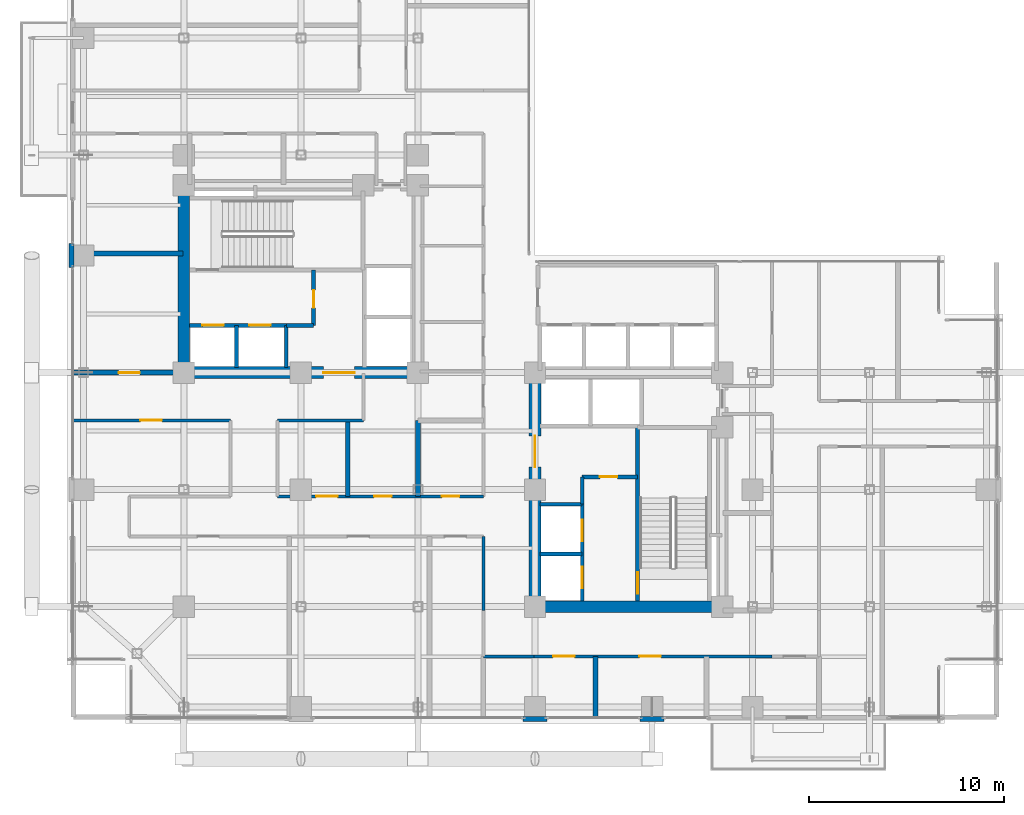
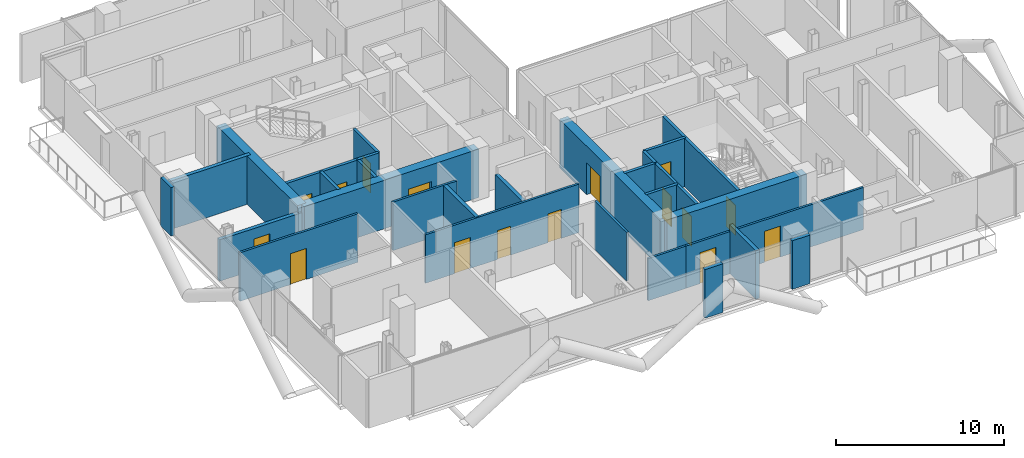
# One storey, part 22 of 28: 29 walls, 16 doors, 16 openings.
"""IFC4 building model written with IfcOpenShell, lengths in metres."""

from ifc_helpers import new_model, si_unit, direction, frame, frame_2d, origin, place, context, subcontext, project, spatial, rectangle, extrude, material, layer, layer_set, type_object, element, fill, save


model = new_model("IFC4")

# Units and contexts
model_context = context("Model", 3, precision=1e-05, world=origin(), true_north=direction((0.0, 1.0)))
body_context = subcontext(model_context, "Body", "Model", "MODEL_VIEW")
ifc_project = project(units=[si_unit("LENGTHUNIT", "METRE"), si_unit("AREAUNIT", "SQUARE_METRE"), si_unit("VOLUMEUNIT", "CUBIC_METRE"), si_unit("PLANEANGLEUNIT", "RADIAN"), si_unit("MASSUNIT", "GRAM", prefix="KILO"), si_unit("THERMODYNAMICTEMPERATUREUNIT", "KELVIN"), si_unit("POWERUNIT", "WATT")], contexts=[model_context])

# Site, building, storey
site_placement = place(None, origin())
site = spatial("IfcSite", under=ifc_project, at=site_placement, CompositionType="ELEMENT")
building_placement = place(site_placement, origin())
building = spatial("IfcBuilding", under=site, at=building_placement, Name="Svarakhadi Broadcast Tower", CompositionType="ELEMENT")
storey_placement = place(building_placement, frame((0.0, 0.0, 134.39990234375)))
storey = spatial("IfcBuildingStorey", under=building, at=storey_placement, Name="L32", CompositionType="ELEMENT", Elevation=134.39990234375)

# Walls
ifc_material_1 = material(Name="Double-Stud Acoustic Studio Partition STC-62", Category="gypsum")
ifc_layer_1 = layer(ifc_material_1, 0.25)
ifc_layer_set_1 = layer_set([ifc_layer_1], Name="Double-Stud Acoustic Studio Partition STC-62")
wall_type_1 = type_object("IfcWallType", Name="Wall_Acoust_250", PredefinedType="PARTITIONING", material=ifc_layer_set_1)
wall_1_placement = place(storey_placement, frame((14.39990234375, 11.64990234375, 0.0), z_axis=(0.0, 0.0, 1.0), x_axis=(0.0, 1.0, 0.0)))
element("IfcWall", 1, at=wall_1_placement, inside=storey, type_object=wall_type_1, Name="L32 Acoustic Huddle Booth Wall", PredefinedType="PARTITIONING", context=body_context, shape_type="SweptSolid", body=[
    extrude(rectangle(XDim=3.900146484375, YDim=0.25, at=frame_2d((1.9501953125, 0.0))), origin(), (0.0, 0.0, 1.0), 3.525146484375),
])
wall_2_placement = place(storey_placement, frame((18.0, 11.64990234375, 0.0), z_axis=(0.0, 0.0, 1.0), x_axis=(0.0, 1.0, 0.0)))
element("IfcWall", 2, at=wall_2_placement, inside=storey, type_object=wall_type_1, Name="L32 Tea Bar Pantry Wall", PredefinedType="PARTITIONING", context=body_context, shape_type="SweptSolid", body=[
    extrude(rectangle(XDim=3.900146484375, YDim=0.25, at=frame_2d((1.9501953125, 0.0))), origin(), (0.0, 0.0, 1.0), 3.01708984375),
])

# Wall, opening, door
wall_3_placement = place(storey_placement, frame((0.300048828125, 18.0, 0.0), z_axis=(0.0, 0.0, 1.0), x_axis=(1.0, 0.0, 0.0)))
wall_3 = element("IfcWall", 3, at=wall_3_placement, inside=storey, type_object=wall_type_1, Name="L32 Arabian Sea Executive Studio Wall", PredefinedType="PARTITIONING", context=body_context, shape_type="SweptSolid", body=[
    extrude(rectangle(XDim=5.64990234375, YDim=0.25, at=frame_2d((2.824951171875, 0.0))), origin(), (0.0, 0.0, 1.0), 3.01708984375),
])
opening_1_placement = place(wall_3_placement, frame((2.35009765625, 0.0, 0.0)))
opening_1 = element("IfcOpeningElement", 4, at=opening_1_placement, cuts=wall_3, Name="Opening D-11", PredefinedType="OPENING", context=body_context, shape_type="SweptSolid", body=[
    extrude(rectangle(XDim=1.10009765625, YDim=2.25, at=frame_2d((0.550048828125, 1.125))), frame((0.0, 0.135009765625, 0.0), z_axis=(0.0, -1.0, 0.0), x_axis=(1.0, 0.0, 0.0)), (0.0, 0.0, 1.0), 0.27001953125),
])
ifc_material_2 = material(Name="Solid-Core Teak Veneer Acoustic Timber Leaf", Category="wood")
door_type_1 = type_object("IfcDoorType", Name="Door_Acoust_D11", OperationType="SINGLE_SWING_RIGHT", PredefinedType="DOOR", material=ifc_material_2)
door_1_placement = place(opening_1_placement, origin())
door_1 = element("IfcDoor", 5, at=door_1_placement, inside=storey, type_object=door_type_1, Name="L32 Arabian Sea Executive Studio Door", OperationType="SINGLE_SWING_RIGHT", OverallHeight=2.25, OverallWidth=1.10009765625, PredefinedType="DOOR", context=body_context, shape_type="SweptSolid", body=[
    extrude(rectangle(XDim=1.10009765625, YDim=2.25, at=frame_2d((0.550048828125, 1.125))), frame((0.0, 0.02490234375, 0.0), z_axis=(0.0, -1.0, 0.0), x_axis=(1.0, 0.0, 0.0)), (0.0, 0.0, 1.0), 0.050048828125),
])
fill(opening_1, door_1)

# Walls
wall_4_placement = place(storey_placement, frame((0.300048828125, 24.10009765625, 0.0), z_axis=(0.0, 0.0, 1.0), x_axis=(1.0, 0.0, 0.0)))
element("IfcWall", 6, at=wall_4_placement, inside=storey, type_object=wall_type_1, Name="L32 Arabian Sea Executive Studio Wall", PredefinedType="PARTITIONING", context=body_context, shape_type="SweptSolid", body=[
    extrude(rectangle(XDim=5.64990234375, YDim=0.25, at=frame_2d((2.824951171875, 0.0))), origin(), (0.0, 0.0, 1.0), 3.525146484375),
])
wall_5_placement = place(storey_placement, frame((27.10009765625, 0.300048828125, 0.0), z_axis=(0.0, 0.0, 1.0), x_axis=(0.0, 1.0, 0.0)))
element("IfcWall", 7, at=wall_5_placement, inside=storey, type_object=wall_type_1, Name="L32 Harbour Front Production Office Wall", PredefinedType="PARTITIONING", context=body_context, shape_type="SweptSolid", body=[
    extrude(rectangle(XDim=3.14990234375, YDim=0.25, at=frame_2d((1.574951171875, 0.0))), origin(), (0.0, 0.0, 1.0), 3.525146484375),
])
ifc_material_3 = material(Name="Concrete C40/50 (IS 456 M50)", Category="concrete")
ifc_layer_2 = layer(ifc_material_3, 0.239990234375)
ifc_layer_set_2 = layer_set([ifc_layer_2], Name="Concrete C40/50 (IS 456 M50)")
wall_type_2 = type_object("IfcWallType", Name="Wall_Ext_240", PredefinedType="SOLIDWALL", material=ifc_layer_set_2)
for number, where, z_axis, x_axis, name in (
    (8, (0.239990234375, 23.385009765625, 0.0), (0.0, 0.0, 1.0), (0.0, 1.0, 0.0), "L32 Perimeter Bronze Spandrel Closure Wall 02"),
    (9, (30.614990234375, 0.239990234375, 0.0), (0.0, 0.0, 1.0), (-1.0, 0.0, 0.0), "L32 Perimeter Bronze Spandrel Closure Wall 06"),
    (10, (24.614990234375, 0.239990234375, 0.0), (0.0, 0.0, 1.0), (-1.0, 0.0, 0.0), "L32 Perimeter Bronze Spandrel Closure Wall 07"),
):
    element("IfcWall", number, at=place(storey_placement, frame(where, z_axis=z_axis, x_axis=x_axis)), inside=storey, type_object=wall_type_2, Name=name, PredefinedType="SOLIDWALL", context=body_context, shape_type="SweptSolid", body=[
        extrude(rectangle(XDim=1.22998046875, YDim=0.239990234375, at=frame_2d((0.614990234375, 0.0))), origin(), (0.0, 0.0, 1.0), 3.525146484375),
    ])

# Wall, openings, doors
ifc_material_4 = material(Name="Autoclaved Aerated Concrete Blockwork 150 mm", Category="masonry")
ifc_layer_3 = layer(ifc_material_4, 0.14990234375)
ifc_layer_set_3 = layer_set([ifc_layer_3], Name="Autoclaved Aerated Concrete Blockwork 150 mm")
wall_type_3 = type_object("IfcWallType", Name="Wall_Part_150", PredefinedType="PARTITIONING", material=ifc_layer_set_3)
wall_6_placement = place(storey_placement, frame((36.14990234375, 3.449951171875, 0.0), z_axis=(0.0, 0.0, 1.0), x_axis=(-1.0, 0.0, 0.0)))
wall_6 = element("IfcWall", 11, at=wall_6_placement, inside=storey, type_object=wall_type_3, Name="L32 Zone 2/3 Corridor Wall", PredefinedType="PARTITIONING", context=body_context, shape_type="SweptSolid", body=[
    extrude(rectangle(XDim=12.199951171875, YDim=0.14990234375, at=frame_2d((6.10009765625, 0.0))), origin(), (0.0, 0.0, 1.0), 3.067138671875),
])
opening_2_placement = place(wall_6_placement, frame((10.125, 0.0, 0.0)))
opening_2 = element("IfcOpeningElement", 12, at=opening_2_placement, cuts=wall_6, Name="Opening D-11", PredefinedType="OPENING", context=body_context, shape_type="SweptSolid", body=[
    extrude(rectangle(XDim=1.10009765625, YDim=2.25, at=frame_2d((0.550048828125, 1.125))), frame((0.0, 0.0849609375, 0.0), z_axis=(0.0, -1.0, 0.0), x_axis=(1.0, 0.0, 0.0)), (0.0, 0.0, 1.0), 0.169921875),
])
opening_3_placement = place(wall_6_placement, frame((5.699951171875, 0.0, 0.0)))
opening_3 = element("IfcOpeningElement", 13, at=opening_3_placement, cuts=wall_6, Name="Opening D-10", PredefinedType="OPENING", context=body_context, shape_type="SweptSolid", body=[
    extrude(rectangle(XDim=1.10009765625, YDim=2.25, at=frame_2d((0.550048828125, 1.125))), frame((0.0, 0.0849609375, 0.0), z_axis=(0.0, -1.0, 0.0), x_axis=(1.0, 0.0, 0.0)), (0.0, 0.0, 1.0), 0.169921875),
])
door_type_2 = type_object("IfcDoorType", Name="Door_Acoust_D10", OperationType="SINGLE_SWING_LEFT", PredefinedType="DOOR", material=ifc_material_2)
door_2_placement = place(opening_3_placement, origin())
door_2 = element("IfcDoor", 14, at=door_2_placement, inside=storey, type_object=door_type_2, Name="L32 Client Preview Briefing Room Door", OperationType="SINGLE_SWING_LEFT", OverallHeight=2.25, OverallWidth=1.10009765625, PredefinedType="DOOR", context=body_context, shape_type="SweptSolid", body=[
    extrude(rectangle(XDim=1.10009765625, YDim=2.25, at=frame_2d((0.550048828125, 1.125))), frame((0.0, 0.02490234375, 0.0), z_axis=(0.0, -1.0, 0.0), x_axis=(1.0, 0.0, 0.0)), (0.0, 0.0, 1.0), 0.050048828125),
])
fill(opening_3, door_2)
door_3_placement = place(opening_2_placement, origin())
door_3 = element("IfcDoor", 15, at=door_3_placement, inside=storey, type_object=door_type_1, Name="L32 Harbour Front Production Office Door", OperationType="SINGLE_SWING_RIGHT", OverallHeight=2.25, OverallWidth=1.10009765625, PredefinedType="DOOR", context=body_context, shape_type="SweptSolid", body=[
    extrude(rectangle(XDim=1.10009765625, YDim=2.25, at=frame_2d((0.550048828125, 1.125))), frame((0.0, 0.02490234375, 0.0), z_axis=(0.0, -1.0, 0.0), x_axis=(1.0, 0.0, 0.0)), (0.0, 0.0, 1.0), 0.050048828125),
])
fill(opening_2, door_3)

# Walls
wall_7_placement = place(storey_placement, frame((23.949951171875, 3.449951171875, 0.0), z_axis=(0.0, 0.0, 1.0), x_axis=(-1.0, 0.0, 0.0)))
element("IfcWall", 16, at=wall_7_placement, inside=storey, type_object=wall_type_3, Name="L32 Zone 2/3 Corridor Wall", PredefinedType="PARTITIONING", context=body_context, shape_type="SweptSolid", body=[
    extrude(rectangle(XDim=2.599853515625, YDim=0.14990234375, at=frame_2d((1.2998046875, 0.0))), origin(), (0.0, 0.0, 1.0), 3.067138671875),
])
wall_8_placement = place(storey_placement, frame((21.35009765625, 5.800048828125, 0.0), z_axis=(0.0, 0.0, 1.0), x_axis=(0.0, 1.0, 0.0)))
element("IfcWall", 17, at=wall_8_placement, inside=storey, type_object=wall_type_3, Name="L32 Zone 2/3 Corridor Wall", PredefinedType="PARTITIONING", context=body_context, shape_type="SweptSolid", body=[
    extrude(rectangle(XDim=3.800048828125, YDim=0.14990234375, at=frame_2d((1.89990234375, 0.0))), origin(), (0.0, 0.0, 1.0), 3.525146484375),
])

# Wall, opening, door
wall_9_placement = place(storey_placement, frame((8.39990234375, 15.550048828125, 0.0), z_axis=(0.0, 0.0, 1.0), x_axis=(-1.0, 0.0, 0.0)))
wall_9 = element("IfcWall", 18, at=wall_9_placement, inside=storey, type_object=wall_type_3, Name="L32 Zone 2/3 Corridor Wall", PredefinedType="PARTITIONING", context=body_context, shape_type="SweptSolid", body=[
    extrude(rectangle(XDim=8.099853515625, YDim=0.14990234375, at=frame_2d((4.0498046875, 0.0))), origin(), (0.0, 0.0, 1.0), 3.525146484375),
])
opening_4_placement = place(wall_9_placement, frame((3.52490234375, 0.0, 0.0)))
opening_4 = element("IfcOpeningElement", 19, at=opening_4_placement, cuts=wall_9, Name="Opening D-10", PredefinedType="OPENING", context=body_context, shape_type="SweptSolid", body=[
    extrude(rectangle(XDim=1.10009765625, YDim=2.25, at=frame_2d((0.550048828125, 1.125))), frame((0.0, 0.0849609375, 0.0), z_axis=(0.0, -1.0, 0.0), x_axis=(1.0, 0.0, 0.0)), (0.0, 0.0, 1.0), 0.169921875),
])
door_4_placement = place(opening_4_placement, origin())
door_4 = element("IfcDoor", 20, at=door_4_placement, inside=storey, type_object=door_type_2, Name="L32 VIP Talent Green Lounge Door", OperationType="SINGLE_SWING_LEFT", OverallHeight=2.25, OverallWidth=1.10009765625, PredefinedType="DOOR", context=body_context, shape_type="SweptSolid", body=[
    extrude(rectangle(XDim=1.10009765625, YDim=2.25, at=frame_2d((0.550048828125, 1.125))), frame((0.0, 0.02490234375, 0.0), z_axis=(0.0, -1.0, 0.0), x_axis=(1.0, 0.0, 0.0)), (0.0, 0.0, 1.0), 0.050048828125),
])
fill(opening_4, door_4)

# Wall
wall_10_placement = place(storey_placement, frame((15.199951171875, 15.550048828125, 0.0), z_axis=(0.0, 0.0, 1.0), x_axis=(-1.0, 0.0, 0.0)))
element("IfcWall", 21, at=wall_10_placement, inside=storey, type_object=wall_type_3, Name="L32 Zone 2/3 Corridor Wall", PredefinedType="PARTITIONING", context=body_context, shape_type="SweptSolid", body=[
    extrude(rectangle(XDim=4.39990234375, YDim=0.14990234375, at=frame_2d((2.199951171875, 0.0))), origin(), (0.0, 0.0, 1.0), 3.525146484375),
])

# Wall, openings, doors
wall_11_placement = place(storey_placement, frame((10.800048828125, 11.64990234375, 0.0), z_axis=(0.0, 0.0, 1.0), x_axis=(1.0, 0.0, 0.0)))
wall_11 = element("IfcWall", 22, at=wall_11_placement, inside=storey, type_object=wall_type_3, Name="L32 Zone 2/3 Corridor Wall", PredefinedType="PARTITIONING", context=body_context, shape_type="SweptSolid", body=[
    extrude(rectangle(XDim=10.550048828125, YDim=0.14990234375, at=frame_2d((5.27490234375, 0.0))), origin(), (0.0, 0.0, 1.0), 3.525146484375),
])
opening_5_placement = place(wall_11_placement, frame((1.97998046875, 0.0, 0.0)))
opening_5 = element("IfcOpeningElement", 23, at=opening_5_placement, cuts=wall_11, Name="Opening D-11", PredefinedType="OPENING", context=body_context, shape_type="SweptSolid", body=[
    extrude(rectangle(XDim=1.10009765625, YDim=2.25, at=frame_2d((0.550048828125, 1.125))), frame((0.0, 0.0849609375, 0.0), z_axis=(0.0, -1.0, 0.0), x_axis=(1.0, 0.0, 0.0)), (0.0, 0.0, 1.0), 0.169921875),
])
opening_6_placement = place(wall_11_placement, frame((4.949951171875, 0.0, 0.0)))
opening_6 = element("IfcOpeningElement", 24, at=opening_6_placement, cuts=wall_11, Name="Opening D-12", PredefinedType="OPENING", context=body_context, shape_type="SweptSolid", body=[
    extrude(rectangle(XDim=0.89990234375, YDim=2.10009765625, at=frame_2d((0.449951171875, 1.050048828125))), frame((0.0, 0.0849609375, 0.0), z_axis=(0.0, -1.0, 0.0), x_axis=(1.0, 0.0, 0.0)), (0.0, 0.0, 1.0), 0.169921875),
])
opening_7_placement = place(wall_11_placement, frame((8.425048828125, 0.0, 0.0)))
opening_7 = element("IfcOpeningElement", 25, at=opening_7_placement, cuts=wall_11, Name="Opening D-13", PredefinedType="OPENING", context=body_context, shape_type="SweptSolid", body=[
    extrude(rectangle(XDim=0.89990234375, YDim=2.10009765625, at=frame_2d((0.449951171875, 1.050048828125))), frame((0.0, 0.0849609375, 0.0), z_axis=(0.0, -1.0, 0.0), x_axis=(1.0, 0.0, 0.0)), (0.0, 0.0, 1.0), 0.169921875),
])
door_5_placement = place(opening_5_placement, origin())
door_5 = element("IfcDoor", 26, at=door_5_placement, inside=storey, type_object=door_type_1, Name="L32 Acoustic Huddle Booth Door", OperationType="SINGLE_SWING_RIGHT", OverallHeight=2.25, OverallWidth=1.10009765625, PredefinedType="DOOR", context=body_context, shape_type="SweptSolid", body=[
    extrude(rectangle(XDim=1.10009765625, YDim=2.25, at=frame_2d((0.550048828125, 1.125))), frame((0.0, 0.02490234375, 0.0), z_axis=(0.0, -1.0, 0.0), x_axis=(1.0, 0.0, 0.0)), (0.0, 0.0, 1.0), 0.050048828125),
])
fill(opening_5, door_5)
door_type_3 = type_object("IfcDoorType", Name="Door_Closet_D13", OperationType="SINGLE_SWING_RIGHT", PredefinedType="DOOR", material=ifc_material_2)
door_6_placement = place(opening_7_placement, origin())
door_6 = element("IfcDoor", 27, at=door_6_placement, inside=storey, type_object=door_type_3, Name="L32 Accessible Floor Washroom WC Door", OperationType="SINGLE_SWING_RIGHT", OverallHeight=2.10009765625, OverallWidth=0.89990234375, PredefinedType="DOOR", context=body_context, shape_type="SweptSolid", body=[
    extrude(rectangle(XDim=0.89990234375, YDim=2.10009765625, at=frame_2d((0.449951171875, 1.050048828125))), frame((0.0, 0.02490234375, 0.0), z_axis=(0.0, -1.0, 0.0), x_axis=(1.0, 0.0, 0.0)), (0.0, 0.0, 1.0), 0.050048828125),
])
fill(opening_7, door_6)
door_type_4 = type_object("IfcDoorType", Name="Door_WC_D01", OperationType="SINGLE_SWING_LEFT", PredefinedType="DOOR", material=ifc_material_2)
door_7_placement = place(opening_6_placement, origin())
door_7 = element("IfcDoor", 28, at=door_7_placement, inside=storey, type_object=door_type_4, Name="L32 Tea Bar Pantry Door", OperationType="SINGLE_SWING_LEFT", OverallHeight=2.10009765625, OverallWidth=0.89990234375, PredefinedType="DOOR", context=body_context, shape_type="SweptSolid", body=[
    extrude(rectangle(XDim=0.89990234375, YDim=2.10009765625, at=frame_2d((0.449951171875, 1.050048828125))), frame((0.0, 0.02490234375, 0.0), z_axis=(0.0, -1.0, 0.0), x_axis=(1.0, 0.0, 0.0)), (0.0, 0.0, 1.0), 0.050048828125),
])
fill(opening_6, door_7)

# Wall, opening, door
ifc_material_5 = material(Name="Concrete C50/60 (IS 456 M60)", Category="concrete")
ifc_layer_4 = layer(ifc_material_5, 0.199951171875)
ifc_layer_set_4 = layer_set([ifc_layer_4], Name="Concrete C50/60 (IS 456 M60)")
wall_type_4 = type_object("IfcWallType", Name="Wall_Shear_200", PredefinedType="SHEAR", material=ifc_layer_set_4)
wall_12_placement = place(storey_placement, frame((29.260009765625, 6.300048828125, 0.0), z_axis=(0.0, 0.0, 1.0), x_axis=(0.0, 1.0, 0.0)))
wall_12 = element("IfcWall", 29, at=wall_12_placement, inside=storey, type_object=wall_type_4, Name="L32 Stair ST-02 West RC Shaft Wall", PredefinedType="SHEAR", context=body_context, shape_type="SweptSolid", body=[
    extrude(rectangle(XDim=8.8798828125, YDim=0.199951171875, at=frame_2d((4.43994140625, 0.0))), origin(), (0.0, 0.0, 1.0), 3.525146484375),
])
opening_8_placement = place(wall_12_placement, frame((0.35009765625, 0.0, 0.0)))
opening_8 = element("IfcOpeningElement", 30, at=opening_8_placement, cuts=wall_12, Name="Opening D-02", PredefinedType="OPENING", context=body_context, shape_type="SweptSolid", body=[
    extrude(rectangle(XDim=1.10009765625, YDim=2.199951171875, at=frame_2d((0.550048828125, 1.10009765625))), frame((0.0, 0.10986328125, 0.0), z_axis=(0.0, -1.0, 0.0), x_axis=(1.0, 0.0, 0.0)), (0.0, 0.0, 1.0), 0.219970703125),
])
ifc_material_6 = material(Name="Galvanised Powder-Coated Fire-Rated Steel Leaf", Category="steel")
door_type_5 = type_object("IfcDoorType", Name="Door_Stair_D02", OperationType="SINGLE_SWING_RIGHT", PredefinedType="DOOR", material=ifc_material_6)
door_8_placement = place(opening_8_placement, origin())
door_8 = element("IfcDoor", 31, at=door_8_placement, inside=storey, type_object=door_type_5, Name="L32 Protected Exit Stair ST-02 Fire Door", OperationType="SINGLE_SWING_RIGHT", OverallHeight=2.199951171875, OverallWidth=1.10009765625, PredefinedType="DOOR", context=body_context, shape_type="SweptSolid", body=[
    extrude(rectangle(XDim=1.10009765625, YDim=2.199951171875, at=frame_2d((0.550048828125, 1.10009765625))), frame((0.0, 0.02490234375, 0.0), z_axis=(0.0, -1.0, 0.0), x_axis=(1.0, 0.0, 0.0)), (0.0, 0.0, 1.0), 0.050048828125),
])
fill(opening_8, door_8)

# Wall, openings, doors
wall_13_placement = place(storey_placement, frame((6.300048828125, 20.419921875, 0.0), z_axis=(0.0, 0.0, 1.0), x_axis=(1.0, 0.0, 0.0)))
wall_13 = element("IfcWall", 32, at=wall_13_placement, inside=storey, type_object=wall_type_4, Name="L32 Firefighting Lift LF-01/02 Shaft Wall", PredefinedType="SHEAR", context=body_context, shape_type="SweptSolid", body=[
    extrude(rectangle(XDim=4.949951171875, YDim=0.199951171875, at=frame_2d((2.47509765625, 0.0))), origin(), (0.0, 0.0, 1.0), 3.525146484375),
])
opening_9_placement = place(wall_13_placement, frame((0.64990234375, 0.0, 0.0)))
opening_9 = element("IfcOpeningElement", 33, at=opening_9_placement, cuts=wall_13, Name="Opening LD-01", PredefinedType="OPENING", context=body_context, shape_type="SweptSolid", body=[
    extrude(rectangle(XDim=1.10009765625, YDim=2.199951171875, at=frame_2d((0.550048828125, 1.10009765625))), frame((0.0, 0.10986328125, 0.0), z_axis=(0.0, -1.0, 0.0), x_axis=(1.0, 0.0, 0.0)), (0.0, 0.0, 1.0), 0.219970703125),
])
opening_10_placement = place(wall_13_placement, frame((3.050048828125, 0.0, 0.0)))
opening_10 = element("IfcOpeningElement", 34, at=opening_10_placement, cuts=wall_13, Name="Opening LD-01", PredefinedType="OPENING", context=body_context, shape_type="SweptSolid", body=[
    extrude(rectangle(XDim=1.10009765625, YDim=2.199951171875, at=frame_2d((0.550048828125, 1.10009765625))), frame((0.0, 0.10986328125, 0.0), z_axis=(0.0, -1.0, 0.0), x_axis=(1.0, 0.0, 0.0)), (0.0, 0.0, 1.0), 0.219970703125),
])
door_type_6 = type_object("IfcDoorType", Name="Door_Lift_LD01", OperationType="SLIDING_TO_LEFT", PredefinedType="DOOR", material=ifc_material_6)
door_9_placement = place(opening_9_placement, origin())
door_9 = element("IfcDoor", 35, at=door_9_placement, inside=storey, type_object=door_type_6, Name="L32 Firefighting Lift LF-01 Landing Door", OperationType="SLIDING_TO_LEFT", OverallHeight=2.199951171875, OverallWidth=1.10009765625, PredefinedType="DOOR", context=body_context, shape_type="SweptSolid", body=[
    extrude(rectangle(XDim=1.10009765625, YDim=2.199951171875, at=frame_2d((0.550048828125, 1.10009765625))), frame((0.0, 0.02490234375, 0.0), z_axis=(0.0, -1.0, 0.0), x_axis=(1.0, 0.0, 0.0)), (0.0, 0.0, 1.0), 0.050048828125),
])
fill(opening_9, door_9)
door_10_placement = place(opening_10_placement, origin())
door_10 = element("IfcDoor", 36, at=door_10_placement, inside=storey, type_object=door_type_6, Name="L32 Firefighting Lift LF-02 Landing Door", OperationType="SLIDING_TO_LEFT", OverallHeight=2.199951171875, OverallWidth=1.10009765625, PredefinedType="DOOR", context=body_context, shape_type="SweptSolid", body=[
    extrude(rectangle(XDim=1.10009765625, YDim=2.199951171875, at=frame_2d((0.550048828125, 1.10009765625))), frame((0.0, 0.02490234375, 0.0), z_axis=(0.0, -1.0, 0.0), x_axis=(1.0, 0.0, 0.0)), (0.0, 0.0, 1.0), 0.050048828125),
])
fill(opening_10, door_10)

# Walls
for number, where, z_axis, x_axis, name in (
    (37, (8.699951171875, 18.25, 0.0), (0.0, 0.0, 1.0), (0.0, 1.0, 0.0), "L32 Firefighting Lift LF-01/02 Divider Wall"),
    (38, (11.25, 18.25, 0.0), (0.0, 0.0, 1.0), (0.0, 1.0, 0.0), "L32 Firefighting Lift LF-02 East Wall"),
):
    element("IfcWall", number, at=place(storey_placement, frame(where, z_axis=z_axis, x_axis=x_axis)), inside=storey, type_object=wall_type_4, Name=name, PredefinedType="SHEAR", context=body_context, shape_type="SweptSolid", body=[
        extrude(rectangle(XDim=2.169921875, YDim=0.199951171875, at=frame_2d((1.0849609375, 0.0))), origin(), (0.0, 0.0, 1.0), 3.525146484375),
    ])
wall_14_placement = place(storey_placement, frame((11.25, 20.419921875, 0.0), z_axis=(0.0, 0.0, 1.0), x_axis=(1.0, 0.0, 0.0)))
element("IfcWall", 39, at=wall_14_placement, inside=storey, type_object=wall_type_4, Name="L32 West Firefighting Lobby South Wall", PredefinedType="SHEAR", context=body_context, shape_type="SweptSolid", body=[
    extrude(rectangle(XDim=1.39990234375, YDim=0.199951171875, at=frame_2d((0.699951171875, 0.0))), origin(), (0.0, 0.0, 1.0), 3.525146484375),
])

# Wall, opening, door
wall_15_placement = place(storey_placement, frame((12.64990234375, 20.419921875, 0.0), z_axis=(0.0, 0.0, 1.0), x_axis=(0.0, 1.0, 0.0)))
wall_15 = element("IfcWall", 40, at=wall_15_placement, inside=storey, type_object=wall_type_4, Name="L32 West Firefighting Lobby East Wall", PredefinedType="SHEAR", context=body_context, shape_type="SweptSolid", body=[
    extrude(rectangle(XDim=2.840087890625, YDim=0.199951171875, at=frame_2d((1.419921875, 0.0))), origin(), (0.0, 0.0, 1.0), 3.525146484375),
])
opening_11_placement = place(wall_15_placement, frame((0.89990234375, 0.0, 0.0)))
opening_11 = element("IfcOpeningElement", 41, at=opening_11_placement, cuts=wall_15, Name="Opening D-03", PredefinedType="OPENING", context=body_context, shape_type="SweptSolid", body=[
    extrude(rectangle(XDim=0.89990234375, YDim=2.14990234375, at=frame_2d((0.449951171875, 1.074951171875))), frame((0.0, 0.10986328125, 0.0), z_axis=(0.0, -1.0, 0.0), x_axis=(1.0, 0.0, 0.0)), (0.0, 0.0, 1.0), 0.219970703125),
])
door_type_7 = type_object("IfcDoorType", Name="Door_Fire_D03", OperationType="SINGLE_SWING_LEFT", PredefinedType="DOOR", material=ifc_material_6)
door_11_placement = place(opening_11_placement, origin())
door_11 = element("IfcDoor", 42, at=door_11_placement, inside=storey, type_object=door_type_7, Name="L32 West Firefighting Lobby Fire Door", OperationType="SINGLE_SWING_LEFT", OverallHeight=2.14990234375, OverallWidth=0.89990234375, PredefinedType="DOOR", context=body_context, shape_type="SweptSolid", body=[
    extrude(rectangle(XDim=0.89990234375, YDim=2.14990234375, at=frame_2d((0.449951171875, 1.074951171875))), frame((0.0, 0.02490234375, 0.0), z_axis=(0.0, -1.0, 0.0), x_axis=(1.0, 0.0, 0.0)), (0.0, 0.0, 1.0), 0.050048828125),
])
fill(opening_11, door_11)

# Wall, openings, doors
wall_16_placement = place(storey_placement, frame((26.419921875, 6.300048828125, 0.0), z_axis=(0.0, 0.0, 1.0), x_axis=(0.0, 1.0, 0.0)))
wall_16 = element("IfcWall", 43, at=wall_16_placement, inside=storey, type_object=wall_type_4, Name="L32 Firefighting Lift LF-03/04 Shaft Wall", PredefinedType="SHEAR", context=body_context, shape_type="SweptSolid", body=[
    extrude(rectangle(XDim=4.949951171875, YDim=0.199951171875, at=frame_2d((2.47509765625, 0.0))), origin(), (0.0, 0.0, 1.0), 3.525146484375),
])
opening_12_placement = place(wall_16_placement, frame((0.64990234375, 0.0, 0.0)))
opening_12 = element("IfcOpeningElement", 44, at=opening_12_placement, cuts=wall_16, Name="Opening LD-01", PredefinedType="OPENING", context=body_context, shape_type="SweptSolid", body=[
    extrude(rectangle(XDim=1.10009765625, YDim=2.199951171875, at=frame_2d((0.550048828125, 1.10009765625))), frame((0.0, 0.10986328125, 0.0), z_axis=(0.0, -1.0, 0.0), x_axis=(1.0, 0.0, 0.0)), (0.0, 0.0, 1.0), 0.219970703125),
])
opening_13_placement = place(wall_16_placement, frame((3.050048828125, 0.0, 0.0)))
opening_13 = element("IfcOpeningElement", 45, at=opening_13_placement, cuts=wall_16, Name="Opening LD-01", PredefinedType="OPENING", context=body_context, shape_type="SweptSolid", body=[
    extrude(rectangle(XDim=1.10009765625, YDim=2.199951171875, at=frame_2d((0.550048828125, 1.10009765625))), frame((0.0, 0.10986328125, 0.0), z_axis=(0.0, -1.0, 0.0), x_axis=(1.0, 0.0, 0.0)), (0.0, 0.0, 1.0), 0.219970703125),
])
door_12_placement = place(opening_12_placement, origin())
door_12 = element("IfcDoor", 46, at=door_12_placement, inside=storey, type_object=door_type_6, Name="L32 Firefighting Lift LF-03 Landing Door", OperationType="SLIDING_TO_LEFT", OverallHeight=2.199951171875, OverallWidth=1.10009765625, PredefinedType="DOOR", context=body_context, shape_type="SweptSolid", body=[
    extrude(rectangle(XDim=1.10009765625, YDim=2.199951171875, at=frame_2d((0.550048828125, 1.10009765625))), frame((0.0, 0.02490234375, 0.0), z_axis=(0.0, -1.0, 0.0), x_axis=(1.0, 0.0, 0.0)), (0.0, 0.0, 1.0), 0.050048828125),
])
fill(opening_12, door_12)
door_13_placement = place(opening_13_placement, origin())
door_13 = element("IfcDoor", 47, at=door_13_placement, inside=storey, type_object=door_type_6, Name="L32 Firefighting Lift LF-04 Landing Door", OperationType="SLIDING_TO_LEFT", OverallHeight=2.199951171875, OverallWidth=1.10009765625, PredefinedType="DOOR", context=body_context, shape_type="SweptSolid", body=[
    extrude(rectangle(XDim=1.10009765625, YDim=2.199951171875, at=frame_2d((0.550048828125, 1.10009765625))), frame((0.0, 0.02490234375, 0.0), z_axis=(0.0, -1.0, 0.0), x_axis=(1.0, 0.0, 0.0)), (0.0, 0.0, 1.0), 0.050048828125),
])
fill(opening_13, door_13)

# Walls
for number, where, z_axis, x_axis, name in (
    (48, (24.25, 8.699951171875, 0.0), (0.0, 0.0, 1.0), (1.0, 0.0, 0.0), "L32 Firefighting Lift LF-03/04 Divider Wall"),
    (49, (24.25, 11.25, 0.0), (0.0, 0.0, 1.0), (1.0, 0.0, 0.0), "L32 Firefighting Lift LF-04 North Wall"),
):
    element("IfcWall", number, at=place(storey_placement, frame(where, z_axis=z_axis, x_axis=x_axis)), inside=storey, type_object=wall_type_4, Name=name, PredefinedType="SHEAR", context=body_context, shape_type="SweptSolid", body=[
        extrude(rectangle(XDim=2.169921875, YDim=0.199951171875, at=frame_2d((1.0849609375, 0.0))), origin(), (0.0, 0.0, 1.0), 3.525146484375),
    ])
wall_17_placement = place(storey_placement, frame((26.419921875, 11.25, 0.0), z_axis=(0.0, 0.0, 1.0), x_axis=(0.0, 1.0, 0.0)))
element("IfcWall", 50, at=wall_17_placement, inside=storey, type_object=wall_type_4, Name="L32 East Firefighting Lobby West Wall", PredefinedType="SHEAR", context=body_context, shape_type="SweptSolid", body=[
    extrude(rectangle(XDim=1.39990234375, YDim=0.199951171875, at=frame_2d((0.699951171875, 0.0))), origin(), (0.0, 0.0, 1.0), 3.525146484375),
])

# Wall, opening, door
wall_18_placement = place(storey_placement, frame((26.419921875, 12.64990234375, 0.0), z_axis=(0.0, 0.0, 1.0), x_axis=(1.0, 0.0, 0.0)))
wall_18 = element("IfcWall", 51, at=wall_18_placement, inside=storey, type_object=wall_type_4, Name="L32 East Firefighting Lobby North Wall", PredefinedType="SHEAR", context=body_context, shape_type="SweptSolid", body=[
    extrude(rectangle(XDim=2.840087890625, YDim=0.199951171875, at=frame_2d((1.419921875, 0.0))), origin(), (0.0, 0.0, 1.0), 3.525146484375),
])
opening_14_placement = place(wall_18_placement, frame((0.89990234375, 0.0, 0.0)))
opening_14 = element("IfcOpeningElement", 52, at=opening_14_placement, cuts=wall_18, Name="Opening D-04", PredefinedType="OPENING", context=body_context, shape_type="SweptSolid", body=[
    extrude(rectangle(XDim=0.89990234375, YDim=2.14990234375, at=frame_2d((0.449951171875, 1.074951171875))), frame((0.0, 0.10986328125, 0.0), z_axis=(0.0, -1.0, 0.0), x_axis=(1.0, 0.0, 0.0)), (0.0, 0.0, 1.0), 0.219970703125),
])
door_type_8 = type_object("IfcDoorType", Name="Door_Fire_D04", OperationType="SINGLE_SWING_RIGHT", PredefinedType="DOOR", material=ifc_material_6)
door_14_placement = place(opening_14_placement, origin())
door_14 = element("IfcDoor", 53, at=door_14_placement, inside=storey, type_object=door_type_8, Name="L32 East Firefighting Lobby Fire Door", OperationType="SINGLE_SWING_RIGHT", OverallHeight=2.14990234375, OverallWidth=0.89990234375, PredefinedType="DOOR", context=body_context, shape_type="SweptSolid", body=[
    extrude(rectangle(XDim=0.89990234375, YDim=2.14990234375, at=frame_2d((0.449951171875, 1.074951171875))), frame((0.0, 0.02490234375, 0.0), z_axis=(0.0, -1.0, 0.0), x_axis=(1.0, 0.0, 0.0)), (0.0, 0.0, 1.0), 0.050048828125),
])
fill(opening_14, door_14)

ifc_material_7 = material(Name="Concrete C60/75 (IS 456 M70)", Category="concrete")
ifc_layer_5 = layer(ifc_material_7, 0.60009765625)
ifc_layer_set_5 = layer_set([ifc_layer_5], Name="Concrete C60/75 (IS 456 M70)")
wall_type_5 = type_object("IfcWallType", Name="Wall_Shear_600", PredefinedType="SHEAR", material=ifc_layer_set_5)
wall_19_placement = place(storey_placement, frame((6.0, 18.0, 0.0), z_axis=(0.0, 0.0, 1.0), x_axis=(1.0, 0.0, 0.0)))
wall_19 = element("IfcWall", 54, at=wall_19_placement, inside=storey, type_object=wall_type_5, Name="L32 West Core South Shear Wall", PredefinedType="SHEAR", context=body_context, shape_type="SweptSolid", body=[
    extrude(rectangle(XDim=12.0, YDim=0.60009765625, at=frame_2d((6.0, 0.0))), origin(), (0.0, 0.0, 1.0), 3.525146484375),
])
opening_15_placement = place(wall_19_placement, frame((7.14990234375, 0.0, 0.0)))
opening_15 = element("IfcOpeningElement", 55, at=opening_15_placement, cuts=wall_19, Name="Opening D-05", PredefinedType="OPENING", context=body_context, shape_type="SweptSolid", body=[
    extrude(rectangle(XDim=1.60009765625, YDim=2.300048828125, at=frame_2d((0.800048828125, 1.14990234375))), frame((0.0, 0.31005859375, 0.0), z_axis=(0.0, -1.0, 0.0), x_axis=(1.0, 0.0, 0.0)), (0.0, 0.0, 1.0), 0.6201171875),
])
ifc_material_8 = material(Name="Anodised Bronze Aluminium AA 6063-T6", Category="aluminium")
door_type_9 = type_object("IfcDoorType", Name="Door_Lobby_D05", OperationType="DOUBLE_DOOR_SLIDING", PredefinedType="DOOR", material=ifc_material_8)
door_15_placement = place(opening_15_placement, origin())
door_15 = element("IfcDoor", 56, at=door_15_placement, inside=storey, type_object=door_type_9, Name="L32 West Core Passenger Lift Lobby Entrance Door", OperationType="DOUBLE_DOOR_SLIDING", OverallHeight=2.300048828125, OverallWidth=1.60009765625, PredefinedType="DOOR", context=body_context, shape_type="SweptSolid", body=[
    extrude(rectangle(XDim=1.60009765625, YDim=2.300048828125, at=frame_2d((0.800048828125, 1.14990234375))), frame((0.0, 0.02490234375, 0.0), z_axis=(0.0, -1.0, 0.0), x_axis=(1.0, 0.0, 0.0)), (0.0, 0.0, 1.0), 0.050048828125),
])
fill(opening_15, door_15)

# Walls
for number, where, z_axis, x_axis, name in (
    (57, (6.0, 18.0, 0.0), (0.0, 0.0, 1.0), (0.0, 1.0, 0.0), "L32 West Core West Shear Wall"),
    (58, (24.0, 6.0, 0.0), (0.0, 0.0, 1.0), (1.0, 0.0, 0.0), "L32 East Core South Shear Wall"),
):
    element("IfcWall", number, at=place(storey_placement, frame(where, z_axis=z_axis, x_axis=x_axis)), inside=storey, type_object=wall_type_5, Name=name, PredefinedType="SHEAR", context=body_context, shape_type="SweptSolid", body=[
        extrude(rectangle(XDim=9.60009765625, YDim=0.60009765625, at=frame_2d((4.800048828125, 0.0))), origin(), (0.0, 0.0, 1.0), 3.525146484375),
    ])

# Wall, opening, door
wall_20_placement = place(storey_placement, frame((24.0, 6.0, 0.0), z_axis=(0.0, 0.0, 1.0), x_axis=(0.0, 1.0, 0.0)))
wall_20 = element("IfcWall", 59, at=wall_20_placement, inside=storey, type_object=wall_type_5, Name="L32 East Core West Shear Wall", PredefinedType="SHEAR", context=body_context, shape_type="SweptSolid", body=[
    extrude(rectangle(XDim=12.0, YDim=0.60009765625, at=frame_2d((6.0, 0.0))), origin(), (0.0, 0.0, 1.0), 3.525146484375),
])
opening_16_placement = place(wall_20_placement, frame((7.14990234375, 0.0, 0.0)))
opening_16 = element("IfcOpeningElement", 60, at=opening_16_placement, cuts=wall_20, Name="Opening D-05", PredefinedType="OPENING", context=body_context, shape_type="SweptSolid", body=[
    extrude(rectangle(XDim=1.60009765625, YDim=2.300048828125, at=frame_2d((0.800048828125, 1.14990234375))), frame((0.0, 0.31005859375, 0.0), z_axis=(0.0, -1.0, 0.0), x_axis=(1.0, 0.0, 0.0)), (0.0, 0.0, 1.0), 0.6201171875),
])
door_16_placement = place(opening_16_placement, origin())
door_16 = element("IfcDoor", 61, at=door_16_placement, inside=storey, type_object=door_type_9, Name="L32 East Core Passenger Lift Lobby Entrance Door", OperationType="DOUBLE_DOOR_SLIDING", OverallHeight=2.300048828125, OverallWidth=1.60009765625, PredefinedType="DOOR", context=body_context, shape_type="SweptSolid", body=[
    extrude(rectangle(XDim=1.60009765625, YDim=2.300048828125, at=frame_2d((0.800048828125, 1.14990234375))), frame((0.0, 0.02490234375, 0.0), z_axis=(0.0, -1.0, 0.0), x_axis=(1.0, 0.0, 0.0)), (0.0, 0.0, 1.0), 0.050048828125),
])
fill(opening_16, door_16)

save(model, "model.ifc")
